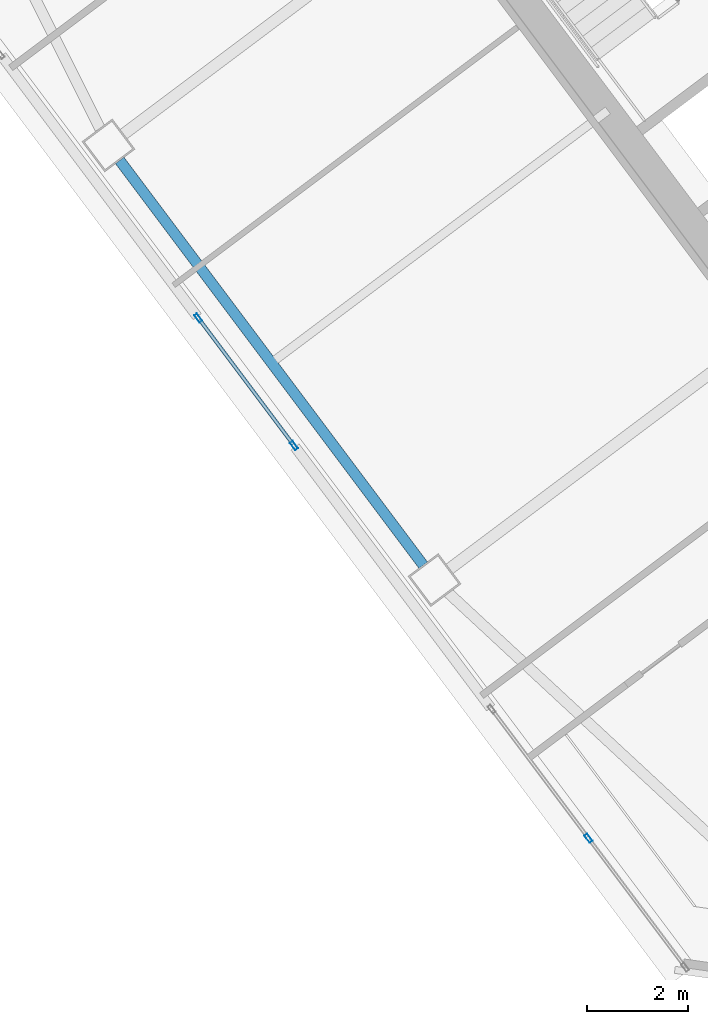
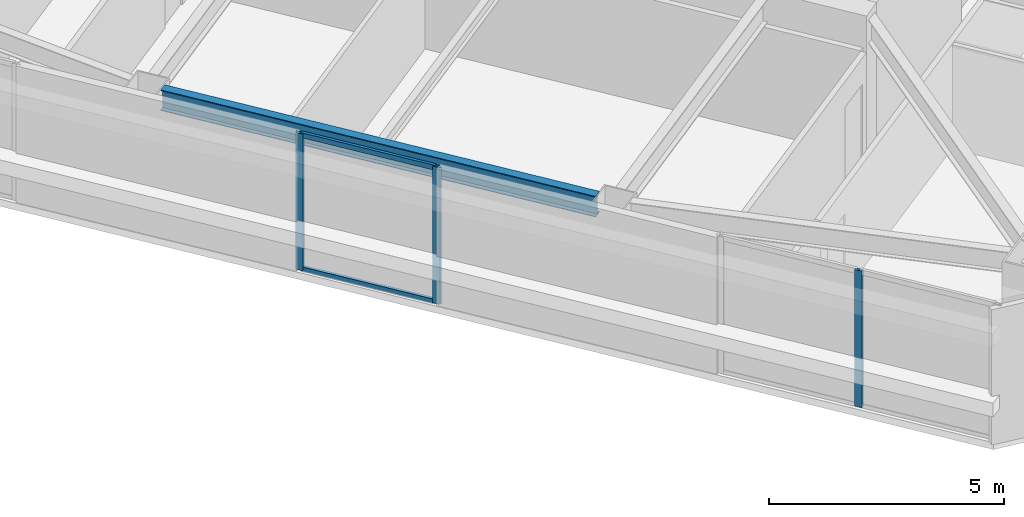
# One storey, part 18 of 44: 5 members, 1 beam, 2 elements without a shape of their own.
"""IFC4 building model written with IfcOpenShell, lengths in metres."""

from ifc_helpers import new_model, si_unit, direction, frame, origin, origin_2d, place, context, subcontext, project, spatial, hollow_rectangle, i_section, extrude, material, material_profile, profile_set, type_object, element, aggregate, save


model = new_model("IFC4")

# Units and contexts
model_context = context("Model", 3, precision=1e-05, world=origin(), true_north=direction((0.0, 1.0)))
body_context = subcontext(model_context, "Body", "Model", "MODEL_VIEW")
ifc_project = project(units=[si_unit("LENGTHUNIT", "METRE"), si_unit("AREAUNIT", "SQUARE_METRE"), si_unit("VOLUMEUNIT", "CUBIC_METRE"), si_unit("PLANEANGLEUNIT", "RADIAN"), si_unit("MASSUNIT", "GRAM", prefix="KILO")], contexts=[model_context])

# Site, building, storey
site_placement = place(None, origin())
site = spatial("IfcSite", under=ifc_project, at=site_placement, CompositionType="ELEMENT")
building_placement = place(site_placement, origin())
building = spatial("IfcBuilding", under=site, at=building_placement, Name="Tashvorn Skyway Center", CompositionType="ELEMENT")
storey_placement = place(building_placement, frame((0.0, 0.0, 181.85009765625)))
storey = spatial("IfcBuildingStorey", under=building, at=storey_placement, Name="L49", CompositionType="ELEMENT", Elevation=181.85009765625)

# Beam
ifc_material_1 = material(Name="Steel ASTM A992 Grade 50", Category="steel")
ifc_material_profile_1 = material_profile(ifc_material_1, i_section(OverallWidth=0.2109375, OverallDepth=0.5390625, WebThickness=0.01171875, FlangeThickness=0.018798828125, at=origin_2d()), Name="W21X73")
ifc_profile_set_1 = profile_set([ifc_material_profile_1], Name="Steel ASTM A992 Grade 50")
beam_type = type_object("IfcBeamType", Name="BM-SPANDREL-W21X73", PredefinedType="SPANDREL", material=ifc_profile_set_1)
beam_placement = place(storey_placement, frame((98.06201171875, 26.333984375, 3.100341796875), z_axis=(0.599988351091, -0.800008736549, 0.0), x_axis=(0.800008736549, 0.599988351091, 0.0)))
element("IfcBeam", 1, at=beam_placement, inside=storey, type_object=beam_type, Name="Tower 2 L49 Spandrel Beam 11", PredefinedType="SPANDREL", context=body_context, shape_type="SweptSolid", body=[
    extrude(i_section(OverallWidth=0.2109375, OverallDepth=0.5390625, WebThickness=0.01171875, FlangeThickness=0.018798828125, at=origin_2d()), origin(), (0.0, 0.0, 1.0), 10.06005859375),
])

# Curtain wall, member
ifc_material_2 = material(Name="Thermally broken bronze-anodized aluminium 6063-T6", Category="aluminium")
curtain_wall_type = type_object("IfcCurtainWallType", Name="CW-CW-Z4", PredefinedType="NOTDEFINED", material=ifc_material_2)
curtain_wall_1_placement = place(storey_placement, origin())
curtain_wall_1 = element("IfcCurtainWall", 2, at=curtain_wall_1_placement, inside=storey, type_object=curtain_wall_type, Name="Tower 2 L49 West Unitised Curtain Wall Glazing Group 1", PredefinedType="NOTDEFINED")
ifc_material_profile_2 = material_profile(ifc_material_2, hollow_rectangle(XDim=0.070068359375, YDim=0.179931640625, WallThickness=0.00390625, at=origin_2d()), Name="ALU-MULL-70x180")
ifc_profile_set_2 = profile_set([ifc_material_profile_2], Name="Thermally broken bronze-anodized aluminium 6063-T6")
member_type_1 = type_object("IfcMemberType", Name="CWM-CW-Z4", PredefinedType="MULLION", material=ifc_profile_set_2)
member_1_placement = place(storey_placement, frame((107.3798828125, 12.860107421875, 0.0), z_axis=(0.0, 0.0, 1.0), x_axis=(-0.799999999998, -0.600000000002, 0.0)))
member_1 = element("IfcMember", 3, at=member_1_placement, type_object=member_type_1, Name="CW-Z4 mullion 2", PredefinedType="MULLION", context=body_context, shape_type="SweptSolid", body=[
    extrude(hollow_rectangle(XDim=0.070068359375, YDim=0.179931640625, WallThickness=0.00390625, at=origin_2d()), origin(), (0.0, 0.0, 1.0), 3.5498046875),
])
aggregate(curtain_wall_1, [member_1])

# Curtain wall, members
curtain_wall_2_placement = place(storey_placement, origin())
curtain_wall_2 = element("IfcCurtainWall", 4, at=curtain_wall_2_placement, inside=storey, type_object=curtain_wall_type, Name="Tower 2 L49 West Unitised Curtain Wall Glazing Group 2", PredefinedType="NOTDEFINED")
member_2_placement = place(storey_placement, frame((101.527099609375, 20.6640625, 0.0), z_axis=(0.0, 0.0, 1.0), x_axis=(-0.799999999998, -0.600000000002, 0.0)))
member_2 = element("IfcMember", 5, at=member_2_placement, type_object=member_type_1, Name="CW-Z4 mullion 1", PredefinedType="MULLION", context=body_context, shape_type="SweptSolid", body=[
    extrude(hollow_rectangle(XDim=0.070068359375, YDim=0.179931640625, WallThickness=0.00390625, at=origin_2d()), origin(), (0.0, 0.0, 1.0), 3.5498046875),
])
member_3_placement = place(storey_placement, frame((99.625, 23.199951171875, 0.0), z_axis=(0.0, 0.0, 1.0), x_axis=(-0.799999999998, -0.600000000002, 0.0)))
member_3 = element("IfcMember", 6, at=member_3_placement, type_object=member_type_1, Name="CW-Z4 mullion 2", PredefinedType="MULLION", context=body_context, shape_type="SweptSolid", body=[
    extrude(hollow_rectangle(XDim=0.070068359375, YDim=0.179931640625, WallThickness=0.00390625, at=origin_2d()), origin(), (0.0, 0.0, 1.0), 3.5498046875),
])
ifc_material_profile_3 = material_profile(ifc_material_2, hollow_rectangle(XDim=0.070068359375, YDim=0.1298828125, WallThickness=0.00390625, at=origin_2d()), Name="ALU-TRAN-70x130")
ifc_profile_set_3 = profile_set([ifc_material_profile_3], Name="Thermally broken bronze-anodized aluminium 6063-T6")
member_type_2 = type_object("IfcMemberType", Name="CWT-CW-Z4", PredefinedType="USERDEFINED", material=ifc_profile_set_3)
member_4_placement = place(storey_placement, frame((101.506103515625, 20.69189453125, 0.034912109375), z_axis=(-0.599987400111, 0.800009449761, 0.0), x_axis=(-0.800009449761, -0.599987400111, 0.0)))
member_4 = element("IfcMember", 7, at=member_4_placement, type_object=member_type_2, Name="CW-Z4 transom 1.1", ObjectType="TRANSOM", PredefinedType="USERDEFINED", context=body_context, shape_type="SweptSolid", body=[
    extrude(hollow_rectangle(XDim=0.070068359375, YDim=0.1298828125, WallThickness=0.00390625, at=origin_2d()), origin(), (0.0, 0.0, 1.0), 3.100341796875),
])
member_5_placement = place(storey_placement, frame((101.506103515625, 20.69189453125, 3.514892578125), z_axis=(-0.599987400111, 0.800009449761, 0.0), x_axis=(-0.800009449761, -0.599987400111, 0.0)))
member_5 = element("IfcMember", 8, at=member_5_placement, type_object=member_type_2, Name="CW-Z4 transom 1.2", ObjectType="TRANSOM", PredefinedType="USERDEFINED", context=body_context, shape_type="SweptSolid", body=[
    extrude(hollow_rectangle(XDim=0.070068359375, YDim=0.1298828125, WallThickness=0.00390625, at=origin_2d()), origin(), (0.0, 0.0, 1.0), 3.100341796875),
])
aggregate(curtain_wall_2, [member_2, member_3, member_4, member_5])

save(model, "model.ifc")
